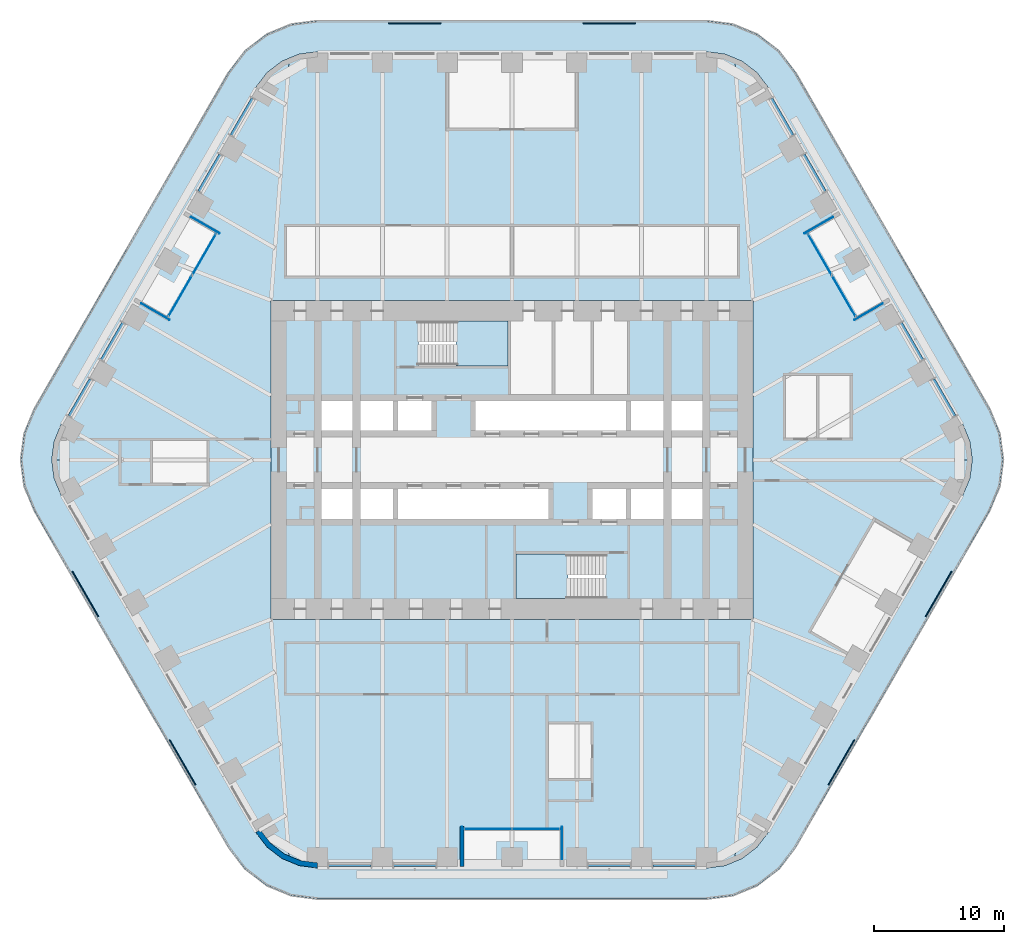
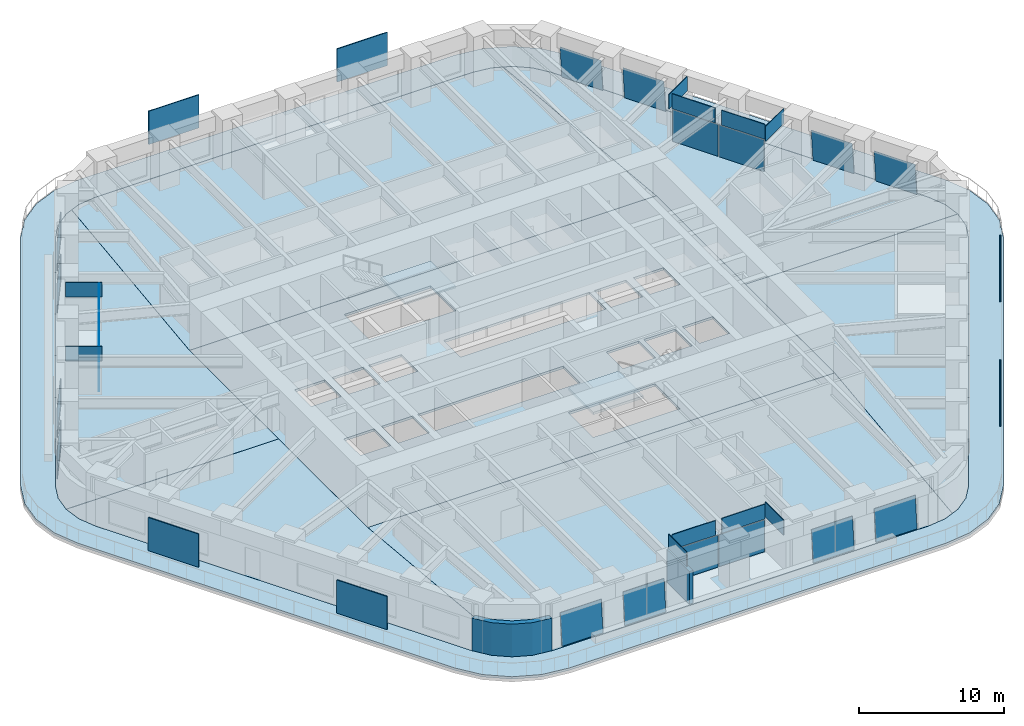
# One storey, part 16 of 24: 36 plates, 10 slabs, 2 walls, 17 elements without a shape of their own.
"""IFC4 building model written with IfcOpenShell, lengths in metres."""

from ifc_helpers import new_model, si_unit, direction, frame, frame_2d, origin, origin_2d, place, context, subcontext, project, spatial, polyline, rectangle, outline, extrude, material, layer, layer_set, type_object, element, aggregate, save


model = new_model("IFC4")

# Units and contexts
model_context = context("Model", 3, precision=1e-05, world=origin(), true_north=direction((0.0, 1.0)))
body_context = subcontext(model_context, "Body", "Model", "MODEL_VIEW")
ifc_project = project(units=[si_unit("LENGTHUNIT", "METRE"), si_unit("AREAUNIT", "SQUARE_METRE"), si_unit("VOLUMEUNIT", "CUBIC_METRE"), si_unit("PLANEANGLEUNIT", "RADIAN"), si_unit("MASSUNIT", "GRAM", prefix="KILO")], contexts=[model_context])

# Site, building, storey
site_placement = place(None, origin())
site = spatial("IfcSite", under=ifc_project, at=site_placement, CompositionType="ELEMENT")
building_placement = place(site_placement, origin())
building = spatial("IfcBuilding", under=site, at=building_placement, Name="Tarfa Lantern Tower", CompositionType="ELEMENT")
storey_placement = place(building_placement, frame((0.0, 0.0, 148.89990234375)))
storey = spatial("IfcBuildingStorey", under=building, at=storey_placement, Name="L33", CompositionType="ELEMENT", Elevation=148.89990234375)

# Slab
ifc_material_1 = material(Name="Concrete C40/50", Category="concrete")
ifc_layer_1 = layer(ifc_material_1, 0.199951171875)
ifc_layer_set_1 = layer_set([ifc_layer_1], Name="BS2 BALCONY SLAB 200")
slab_type_1 = type_object("IfcSlabType", Name="BS2 BALCONY SLAB 200", PredefinedType="FLOOR", material=ifc_layer_set_1)
slab_1_placement = place(storey_placement, frame((0.0, 0.0, -0.199951171875)))
element("IfcSlab", 1, at=slab_1_placement, inside=storey, type_object=slab_type_1, Name="Balcony L33", PredefinedType="FLOOR", context=body_context, shape_type="SweptSolid", body=[
    extrude(outline(polyline([(36.86376953125, 3.949951171875), (21.852783203125, 29.949951171875), (20.59716796875, 31.586181640625), (18.961181640625, 32.841552734375), (17.0556640625, 33.630859375), (15.010986328125, 33.89990234375), (-15.010986328125, 33.89990234375), (-17.0556640625, 33.630859375), (-18.961181640625, 32.841552734375), (-20.59716796875, 31.586181640625), (-21.852783203125, 29.949951171875), (-36.86376953125, 3.949951171875), (-37.653076171875, 2.044677734375), (-37.922119140625, 0.0), (-37.653076171875, -2.044677734375), (-36.86376953125, -3.949951171875), (-21.852783203125, -29.949951171875), (-20.59716796875, -31.586181640625), (-18.961181640625, -32.841552734375), (-17.0556640625, -33.630859375), (-15.010986328125, -33.89990234375), (15.010986328125, -33.89990234375), (17.0556640625, -33.630859375), (18.961181640625, -32.841552734375), (20.59716796875, -31.586181640625), (21.852783203125, -29.949951171875), (36.86376953125, -3.949951171875), (37.653076171875, -2.044677734375), (37.922119140625, 0.0), (37.653076171875, 2.044677734375), (36.86376953125, 3.949951171875)]), holes=[polyline([(34.785400390625, 2.75), (19.774169921875, 28.75), (18.900146484375, 29.88916015625), (17.760986328125, 30.76318359375), (16.4345703125, 31.3125), (15.010986328125, 31.5), (-15.010986328125, 31.5), (-16.4345703125, 31.3125), (-17.760986328125, 30.76318359375), (-18.900146484375, 29.88916015625), (-19.774169921875, 28.75), (-34.785400390625, 2.75), (-35.334716796875, 1.423583984375), (-35.522216796875, 0.0), (-35.334716796875, -1.423583984375), (-34.785400390625, -2.75), (-19.774169921875, -28.75), (-18.900146484375, -29.88916015625), (-17.760986328125, -30.76318359375), (-16.4345703125, -31.3125), (-15.010986328125, -31.5), (15.010986328125, -31.5), (16.4345703125, -31.3125), (17.760986328125, -30.76318359375), (18.900146484375, -29.88916015625), (19.774169921875, -28.75), (34.785400390625, -2.75), (35.334716796875, -1.423583984375), (35.522216796875, 0.0), (35.334716796875, 1.423583984375), (34.785400390625, 2.75)])]), origin(), (0.0, 0.0, 1.0), 0.199951171875),
])

# Curtain wall, plate
ifc_material_2 = material(Name="Aluminium framed curtain wall", Category="aluminium")
curtain_wall_type_1 = type_object("IfcCurtainWallType", Name="CW2 CANTED GLAZING MID ZONE 2750", PredefinedType="USERDEFINED", material=ifc_material_2)
curtain_wall_1_placement = place(storey_placement, origin())
curtain_wall_1 = element("IfcCurtainWall", 2, at=curtain_wall_1_placement, inside=storey, type_object=curtain_wall_type_1, Name="CW2 NE L33", ObjectType="CURTAIN WALL", PredefinedType="USERDEFINED")
ifc_material_3 = material(Name="Laminated double glazing", Category="glass")
ifc_layer_2 = layer(ifc_material_3, 0.028076171875)
ifc_layer_set_2 = layer_set([ifc_layer_2], Name="CWP1 DOUBLE GLAZED PANEL")
plate_type_1 = type_object("IfcPlateType", Name="CWP1 DOUBLE GLAZED PANEL", PredefinedType="CURTAIN_PANEL", material=ifc_layer_set_2)
plate_1_placement = place(storey_placement, frame((34.266357421875, 3.44921875, 0.0), z_axis=(0.862441677575, 0.497990996223, 0.09055009919), x_axis=(-0.500045231271, 0.865999287923, 0.0)))
plate_1 = element("IfcPlate", 3, at=plate_1_placement, type_object=plate_type_1, Name="CW2 panel 1.1", PredefinedType="CURTAIN_PANEL", context=body_context, shape_type="SweptSolid", body=[
    extrude(outline(polyline([(0.0, 0.0), (3.2736296403891254, -2.7755575615628914e-17), (3.273639290369484, 2.696134580088432), (9.64998035858606e-06, 2.696134580088432), (0.0, 0.0)])), origin(), (0.0, 0.0, -1.0), 0.028076171875),
])
aggregate(curtain_wall_1, [plate_1])

curtain_wall_2_placement = place(storey_placement, origin())
curtain_wall_2 = element("IfcCurtainWall", 4, at=curtain_wall_2_placement, inside=storey, type_object=curtain_wall_type_1, Name="CW2 NE L33", ObjectType="CURTAIN WALL", PredefinedType="USERDEFINED")
plate_2_placement = place(storey_placement, frame((31.764404296875, 7.782470703125, 0.0), z_axis=(0.862479387985, 0.497932752669, 0.090511209914), x_axis=(-0.499985201727, 0.866033947398, 2.910741e-06)))
plate_2 = element("IfcPlate", 5, at=plate_2_placement, type_object=plate_type_1, Name="CW2 panel 1.1", PredefinedType="CURTAIN_PANEL", context=body_context, shape_type="SweptSolid", body=[
    extrude(outline(polyline([(0.0, 0.0), (3.2738410665798376, 0.0), (3.273719542684435, 2.696115441250439), (5.428042382078573e-07, 2.696134578050012), (0.0, 0.0)])), origin(), (0.0, 0.0, -1.0), 0.028076171875),
])
aggregate(curtain_wall_2, [plate_2])

curtain_wall_3_placement = place(storey_placement, origin())
curtain_wall_3 = element("IfcCurtainWall", 6, at=curtain_wall_3_placement, inside=storey, type_object=curtain_wall_type_1, Name="CW2 NEB L33", ObjectType="CURTAIN WALL", PredefinedType="USERDEFINED")
plate_3_placement = place(storey_placement, frame((24.2587890625, 20.782470703125, 0.0), z_axis=(0.862492405459, 0.49790313323, 0.090550099086), x_axis=(-0.499957005835, 0.866050225054, 0.0)))
plate_3 = element("IfcPlate", 7, at=plate_3_placement, type_object=plate_type_1, Name="CW2 panel 1.1", PredefinedType="CURTAIN_PANEL", context=body_context, shape_type="SweptSolid", body=[
    extrude(outline(polyline([(0.0, 0.0), (3.273719001629088, 0.0), (3.2737037805661293, 2.6961345800627363), (-1.5221062958495346e-05, 2.6961345800627363), (0.0, 0.0)])), origin(), (0.0, 0.0, -1.0), 0.028076171875),
])
aggregate(curtain_wall_3, [plate_3])

curtain_wall_4_placement = place(storey_placement, origin())
curtain_wall_4 = element("IfcCurtainWall", 8, at=curtain_wall_4_placement, inside=storey, type_object=curtain_wall_type_1, Name="CW2 NEB L33", ObjectType="CURTAIN WALL", PredefinedType="USERDEFINED")
plate_4_placement = place(storey_placement, frame((21.757080078125, 25.11572265625, 0.0), z_axis=(0.862460247027, 0.49795883547, 0.09055009926), x_axis=(-0.500012937857, 0.86601793398, 0.0)))
plate_4 = element("IfcPlate", 9, at=plate_4_placement, type_object=plate_type_1, Name="CW2 panel 1.1", PredefinedType="CURTAIN_PANEL", context=body_context, shape_type="SweptSolid", body=[
    extrude(outline(polyline([(0.0, 0.0), (3.2738410682727324, -2.7755575615628914e-17), (3.27384161446276, 2.6961345801056464), (5.461900275667914e-07, 2.6961345801056464), (0.0, 0.0)])), origin(), (0.0, 0.0, -1.0), 0.028076171875),
])
aggregate(curtain_wall_4, [plate_4])

# Curtain wall, plates
curtain_wall_type_2 = type_object("IfcCurtainWallType", Name="CW10 LOGGIA GLAZING 2750", PredefinedType="USERDEFINED", material=ifc_material_2)
curtain_wall_5_placement = place(storey_placement, origin())
curtain_wall_5 = element("IfcCurtainWall", 10, at=curtain_wall_5_placement, inside=storey, type_object=curtain_wall_type_2, Name="CW10 NEL L33", ObjectType="CURTAIN WALL", PredefinedType="USERDEFINED")
plate_5_placement = place(storey_placement, frame((25.599609375, 12.660400390625, 0.0), z_axis=(0.0, 0.0, 1.0), x_axis=(-0.5, 0.866025403784, 0.0)))
plate_5 = element("IfcPlate", 11, at=plate_5_placement, type_object=plate_type_1, Name="CW10 panel 1.1", PredefinedType="CURTAIN_PANEL", context=body_context, shape_type="SweptSolid", body=[
    extrude(rectangle(XDim=3.606201171875, YDim=0.028076171875, at=origin_2d()), origin(), (0.0, 0.0, 1.0), 2.68505859375),
])
plate_6_placement = place(storey_placement, frame((23.763916015625, 15.839599609375, 0.0), z_axis=(0.0, 0.0, 1.0), x_axis=(-0.5, 0.866025403784, 0.0)))
plate_6 = element("IfcPlate", 12, at=plate_6_placement, type_object=plate_type_1, Name="CW10 panel 2.1", PredefinedType="CURTAIN_PANEL", context=body_context, shape_type="SweptSolid", body=[
    extrude(rectangle(XDim=3.606201171875, YDim=0.028076171875, at=origin_2d()), origin(), (0.0, 0.0, 1.0), 2.68505859375),
])
aggregate(curtain_wall_5, [plate_5, plate_6])

# Curtain wall, plate
curtain_wall_6_placement = place(storey_placement, origin())
curtain_wall_6 = element("IfcCurtainWall", 13, at=curtain_wall_6_placement, inside=storey, type_object=curtain_wall_type_1, Name="CW2 NW L33", ObjectType="CURTAIN WALL", PredefinedType="USERDEFINED")
plate_7_placement = place(storey_placement, frame((-20.1201171875, 27.950927734375, 0.0), z_axis=(-0.862460247027, 0.49795883547, 0.09055009926), x_axis=(-0.500012937857, -0.86601793398, 0.0)))
plate_7 = element("IfcPlate", 14, at=plate_7_placement, type_object=plate_type_1, Name="CW2 panel 1.1", PredefinedType="CURTAIN_PANEL", context=body_context, shape_type="SweptSolid", body=[
    extrude(outline(polyline([(0.0, 0.0), (3.2738410682727324, 2.7755575615628914e-17), (3.273840522082705, 2.6961345801056464), (-5.461900275667914e-07, 2.6961345801056464), (0.0, 0.0)])), origin(), (0.0, 0.0, -1.0), 0.028076171875),
])
aggregate(curtain_wall_6, [plate_7])

curtain_wall_7_placement = place(storey_placement, origin())
curtain_wall_7 = element("IfcCurtainWall", 15, at=curtain_wall_7_placement, inside=storey, type_object=curtain_wall_type_1, Name="CW2 NW L33", ObjectType="CURTAIN WALL", PredefinedType="USERDEFINED")
plate_8_placement = place(storey_placement, frame((-22.6220703125, 23.61767578125, 0.0), z_axis=(-0.862492405459, 0.49790313323, 0.090550099086), x_axis=(-0.499957005835, -0.866050225054, 0.0)))
plate_8 = element("IfcPlate", 16, at=plate_8_placement, type_object=plate_type_1, Name="CW2 panel 1.1", PredefinedType="CURTAIN_PANEL", context=body_context, shape_type="SweptSolid", body=[
    extrude(outline(polyline([(0.0, 0.0), (3.273719001629088, 0.0), (3.2737342226920463, 2.6961345800627363), (1.5221062958495346e-05, 2.6961345800627363), (0.0, 0.0)])), origin(), (0.0, 0.0, -1.0), 0.028076171875),
])
aggregate(curtain_wall_7, [plate_8])

curtain_wall_8_placement = place(storey_placement, origin())
curtain_wall_8 = element("IfcCurtainWall", 17, at=curtain_wall_8_placement, inside=storey, type_object=curtain_wall_type_1, Name="CW2 NWB L33", ObjectType="CURTAIN WALL", PredefinedType="USERDEFINED")
plate_9_placement = place(storey_placement, frame((-30.12744140625, 10.61767578125, 0.0), z_axis=(-0.862479387985, 0.497932752669, 0.090511209914), x_axis=(-0.499985201727, -0.866033947398, -2.910741e-06)))
plate_9 = element("IfcPlate", 18, at=plate_9_placement, type_object=plate_type_1, Name="CW2 panel 1.1", PredefinedType="CURTAIN_PANEL", context=body_context, shape_type="SweptSolid", body=[
    extrude(outline(polyline([(0.0, 0.0), (3.2738410665798376, 0.0), (3.2738405237755996, 2.696134578050012), (0.00012152389540222507, 2.6961154412504387), (0.0, 0.0)])), origin(), (0.0, 0.0, -1.0), 0.028076171875),
])
aggregate(curtain_wall_8, [plate_9])

curtain_wall_9_placement = place(storey_placement, origin())
curtain_wall_9 = element("IfcCurtainWall", 19, at=curtain_wall_9_placement, inside=storey, type_object=curtain_wall_type_1, Name="CW2 NWB L33", ObjectType="CURTAIN WALL", PredefinedType="USERDEFINED")
plate_10_placement = place(storey_placement, frame((-32.62939453125, 6.2841796875, 0.0), z_axis=(-0.862441677575, 0.497990996223, 0.09055009919), x_axis=(-0.500045231271, -0.865999287923, 0.0)))
plate_10 = element("IfcPlate", 20, at=plate_10_placement, type_object=plate_type_1, Name="CW2 panel 1.1", PredefinedType="CURTAIN_PANEL", context=body_context, shape_type="SweptSolid", body=[
    extrude(outline(polyline([(0.0, 0.0), (3.2736296403891254, 2.7755575615628914e-17), (3.273619990408767, 2.696134580088432), (-9.64998035858606e-06, 2.696134580088432), (0.0, 0.0)])), origin(), (0.0, 0.0, -1.0), 0.028076171875),
])
aggregate(curtain_wall_9, [plate_10])

# Curtain wall, plates
curtain_wall_10_placement = place(storey_placement, origin())
curtain_wall_10 = element("IfcCurtainWall", 21, at=curtain_wall_10_placement, inside=storey, type_object=curtain_wall_type_2, Name="CW10 NWL L33", ObjectType="CURTAIN WALL", PredefinedType="USERDEFINED")
plate_11_placement = place(storey_placement, frame((-23.763916015625, 15.839599609375, 0.0), z_axis=(0.0, 0.0, 1.0), x_axis=(-0.5, -0.866025403784, 0.0)))
plate_11 = element("IfcPlate", 22, at=plate_11_placement, type_object=plate_type_1, Name="CW10 panel 1.1", PredefinedType="CURTAIN_PANEL", context=body_context, shape_type="SweptSolid", body=[
    extrude(rectangle(XDim=3.606201171875, YDim=0.028076171875, at=origin_2d()), origin(), (0.0, 0.0, 1.0), 2.68505859375),
])
plate_12_placement = place(storey_placement, frame((-25.599609375, 12.660400390625, 0.0), z_axis=(0.0, 0.0, 1.0), x_axis=(-0.5, -0.866025403784, 0.0)))
plate_12 = element("IfcPlate", 23, at=plate_12_placement, type_object=plate_type_1, Name="CW10 panel 2.1", PredefinedType="CURTAIN_PANEL", context=body_context, shape_type="SweptSolid", body=[
    extrude(rectangle(XDim=3.606201171875, YDim=0.028076171875, at=origin_2d()), origin(), (0.0, 0.0, 1.0), 2.68505859375),
])
aggregate(curtain_wall_10, [plate_11, plate_12])

# Curtain wall, plate
curtain_wall_11_placement = place(storey_placement, origin())
curtain_wall_11 = element("IfcCurtainWall", 24, at=curtain_wall_11_placement, inside=storey, type_object=curtain_wall_type_1, Name="CW2 S L33", ObjectType="CURTAIN WALL", PredefinedType="USERDEFINED")
plate_13_placement = place(storey_placement, frame((-14.14599609375, -31.39990234375, 0.0), z_axis=(0.0, -0.995899883883, 0.090462264412), x_axis=(1.0, 0.0, 0.0)))
plate_13 = element("IfcPlate", 25, at=plate_13_placement, type_object=plate_type_1, Name="CW2 panel 1.1", PredefinedType="CURTAIN_PANEL", context=body_context, shape_type="SweptSolid", body=[
    extrude(outline(polyline([(0.0, 0.0), (3.273681640625, 0.0), (3.273681640625, 2.6961129699923947), (0.0, 2.6961129699923947), (0.0, 0.0)])), origin(), (0.0, 0.0, -1.0), 0.028076171875),
])
aggregate(curtain_wall_11, [plate_13])

curtain_wall_12_placement = place(storey_placement, origin())
curtain_wall_12 = element("IfcCurtainWall", 26, at=curtain_wall_12_placement, inside=storey, type_object=curtain_wall_type_1, Name="CW2 S L33", ObjectType="CURTAIN WALL", PredefinedType="USERDEFINED")
plate_14_placement = place(storey_placement, frame((-9.142333984375, -31.39990234375, 0.0), z_axis=(0.0, -0.995899883883, 0.090462264412), x_axis=(1.0, 0.0, 0.0)))
plate_14 = element("IfcPlate", 27, at=plate_14_placement, type_object=plate_type_1, Name="CW2 panel 1.1", PredefinedType="CURTAIN_PANEL", context=body_context, shape_type="SweptSolid", body=[
    extrude(outline(polyline([(0.0, 0.0), (3.273681640625, 0.0), (3.273681640625, 2.6961129699923947), (0.0, 2.6961129699923947), (0.0, 0.0)])), origin(), (0.0, 0.0, -1.0), 0.028076171875),
])
aggregate(curtain_wall_12, [plate_14])

curtain_wall_13_placement = place(storey_placement, origin())
curtain_wall_13 = element("IfcCurtainWall", 28, at=curtain_wall_13_placement, inside=storey, type_object=curtain_wall_type_1, Name="CW2 SB L33", ObjectType="CURTAIN WALL", PredefinedType="USERDEFINED")
plate_15_placement = place(storey_placement, frame((5.86865234375, -31.39990234375, 0.0), z_axis=(0.0, -0.995899883883, 0.090462264412), x_axis=(1.0, 0.0, 0.0)))
plate_15 = element("IfcPlate", 29, at=plate_15_placement, type_object=plate_type_1, Name="CW2 panel 1.1", PredefinedType="CURTAIN_PANEL", context=body_context, shape_type="SweptSolid", body=[
    extrude(outline(polyline([(0.0, 0.0), (3.273681640625, 0.0), (3.273681640625, 2.6961129699923947), (0.0, 2.6961129699923947), (0.0, 0.0)])), origin(), (0.0, 0.0, -1.0), 0.028076171875),
])
aggregate(curtain_wall_13, [plate_15])

curtain_wall_14_placement = place(storey_placement, origin())
curtain_wall_14 = element("IfcCurtainWall", 30, at=curtain_wall_14_placement, inside=storey, type_object=curtain_wall_type_1, Name="CW2 SB L33", ObjectType="CURTAIN WALL", PredefinedType="USERDEFINED")
plate_16_placement = place(storey_placement, frame((10.872314453125, -31.39990234375, 0.0), z_axis=(0.0, -0.995899883883, 0.090462264412), x_axis=(1.0, 0.0, 0.0)))
plate_16 = element("IfcPlate", 31, at=plate_16_placement, type_object=plate_type_1, Name="CW2 panel 1.1", PredefinedType="CURTAIN_PANEL", context=body_context, shape_type="SweptSolid", body=[
    extrude(outline(polyline([(0.0, 0.0), (3.273681640625, 0.0), (3.273681640625, 2.6961129699923947), (0.0, 2.6961129699923947), (0.0, 0.0)])), origin(), (0.0, 0.0, -1.0), 0.028076171875),
])
aggregate(curtain_wall_14, [plate_16])

# Curtain wall, plates
curtain_wall_15_placement = place(storey_placement, origin())
curtain_wall_15 = element("IfcCurtainWall", 32, at=curtain_wall_15_placement, inside=storey, type_object=curtain_wall_type_2, Name="CW10 SL L33", ObjectType="CURTAIN WALL", PredefinedType="USERDEFINED")
plate_17_placement = place(storey_placement, frame((-1.835693359375, -28.5, 0.0), z_axis=(0.0, 0.0, 1.0), x_axis=(1.0, 0.0, 0.0)))
plate_17 = element("IfcPlate", 33, at=plate_17_placement, type_object=plate_type_1, Name="CW10 panel 1.1", PredefinedType="CURTAIN_PANEL", context=body_context, shape_type="SweptSolid", body=[
    extrude(rectangle(XDim=3.606201171875, YDim=0.028076171875, at=origin_2d()), origin(), (0.0, 0.0, 1.0), 2.68505859375),
])
plate_18_placement = place(storey_placement, frame((1.835693359375, -28.5, 0.0), z_axis=(0.0, 0.0, 1.0), x_axis=(1.0, 0.0, 0.0)))
plate_18 = element("IfcPlate", 34, at=plate_18_placement, type_object=plate_type_1, Name="CW10 panel 2.1", PredefinedType="CURTAIN_PANEL", context=body_context, shape_type="SweptSolid", body=[
    extrude(rectangle(XDim=3.606201171875, YDim=0.028076171875, at=origin_2d()), origin(), (0.0, 0.0, 1.0), 2.68505859375),
])
aggregate(curtain_wall_15, [plate_17, plate_18])

# Slabs
ifc_layer_3 = layer(ifc_material_1, 0.199951171875)
ifc_layer_set_3 = layer_set([ifc_layer_3], Name="FS1 FLOOR SLAB 200")
slab_type_2 = type_object("IfcSlabType", Name="FS1 FLOOR SLAB 200", PredefinedType="FLOOR", material=ifc_layer_set_3)
slab_2_placement = place(storey_placement, frame((0.0, 0.0, -0.199951171875)))
element("IfcSlab", 35, at=slab_2_placement, inside=storey, type_object=slab_type_2, Name="Floor slab L33", PredefinedType="FLOOR", context=body_context, shape_type="SweptSolid", body=[
    extrude(outline(polyline([(-18.60009765625, -12.300048828125), (18.60009765625, -12.300048828125), (18.60009765625, 12.300048828125), (-18.60009765625, 12.300048828125), (-18.60009765625, -12.300048828125)]), holes=[polyline([(-14.699951171875, 2.25), (-12.300048828125, 2.25), (-12.300048828125, 4.550048828125), (-14.699951171875, 4.550048828125), (-14.699951171875, 2.25)]), polyline([(-11.699951171875, 2.25), (-9.199951171875, 2.25), (-9.199951171875, 4.550048828125), (-11.699951171875, 4.550048828125), (-11.699951171875, 2.25)]), polyline([(-8.800048828125, 2.25), (-6.199951171875, 2.25), (-6.199951171875, 4.550048828125), (-8.800048828125, 4.550048828125), (-8.800048828125, 2.25)]), polyline([(-2.800048828125, 2.25), (8.800048828125, 2.25), (8.800048828125, 4.550048828125), (-2.800048828125, 4.550048828125), (-2.800048828125, 2.25)]), polyline([(9.199951171875, 2.25), (11.699951171875, 2.25), (11.699951171875, 4.550048828125), (9.199951171875, 4.550048828125), (9.199951171875, 2.25)]), polyline([(12.300048828125, 2.25), (14.699951171875, 2.25), (14.699951171875, 4.550048828125), (12.300048828125, 4.550048828125), (12.300048828125, 2.25)]), polyline([(14.699951171875, -2.25), (12.300048828125, -2.25), (12.300048828125, -4.550048828125), (14.699951171875, -4.550048828125), (14.699951171875, -2.25)]), polyline([(11.699951171875, -2.25), (9.199951171875, -2.25), (9.199951171875, -4.550048828125), (11.699951171875, -4.550048828125), (11.699951171875, -2.25)]), polyline([(8.800048828125, -2.25), (6.199951171875, -2.25), (6.199951171875, -4.550048828125), (8.800048828125, -4.550048828125), (8.800048828125, -2.25)]), polyline([(2.800048828125, -2.25), (-8.800048828125, -2.25), (-8.800048828125, -4.550048828125), (2.800048828125, -4.550048828125), (2.800048828125, -2.25)]), polyline([(-9.199951171875, -2.25), (-11.699951171875, -2.25), (-11.699951171875, -4.550048828125), (-9.199951171875, -4.550048828125), (-9.199951171875, -2.25)]), polyline([(-12.300048828125, -2.25), (-14.699951171875, -2.25), (-14.699951171875, -4.550048828125), (-12.300048828125, -4.550048828125), (-12.300048828125, -2.25)]), polyline([(-7.199951171875, 7.25), (-0.300048828125, 7.25), (-0.300048828125, 10.699951171875), (-7.199951171875, 10.699951171875), (-7.199951171875, 7.25)]), polyline([(7.199951171875, -7.25), (0.300048828125, -7.25), (0.300048828125, -10.699951171875), (7.199951171875, -10.699951171875), (7.199951171875, -7.25)])]), origin(), (0.0, 0.0, 1.0), 0.199951171875),
])
slab_3_placement = place(storey_placement, frame((0.0, 0.0, -0.199951171875)))
element("IfcSlab", 36, at=slab_3_placement, inside=storey, type_object=slab_type_2, Name="Floor slab L33 NE bay", PredefinedType="FLOOR", context=body_context, shape_type="SweptSolid", body=[
    extrude(outline(polyline([(34.783447265625, 2.7490234375), (19.7724609375, 28.748779296875), (18.898681640625, 29.8876953125), (17.760009765625, 30.761474609375), (17.19189453125, 30.996826171875), (18.60205078125, 12.300048828125), (18.60205078125, 0.001953125), (35.52001953125, 0.001953125), (35.332763671875, 1.423095703125), (34.783447265625, 2.7490234375)])), origin(), (0.0, 0.0, 1.0), 0.199951171875),
])
slab_4_placement = place(storey_placement, frame((0.0, 0.0, -0.199951171875)))
element("IfcSlab", 37, at=slab_4_placement, inside=storey, type_object=slab_type_2, Name="Floor slab L33 N bay", PredefinedType="FLOOR", context=body_context, shape_type="SweptSolid", body=[
    extrude(outline(polyline([(-18.597900390625, 12.302001953125), (18.597900390625, 12.302001953125), (17.187744140625, 30.99853515625), (16.43408203125, 31.310546875), (15.010986328125, 31.498046875), (-15.010986328125, 31.498046875), (-16.43408203125, 31.310546875), (-17.187744140625, 30.99853515625), (-18.597900390625, 12.302001953125)])), origin(), (0.0, 0.0, 1.0), 0.199951171875),
])
slab_5_placement = place(storey_placement, frame((0.0, 0.0, -0.199951171875)))
element("IfcSlab", 38, at=slab_5_placement, inside=storey, type_object=slab_type_2, Name="Floor slab L33 NW bay", PredefinedType="FLOOR", context=body_context, shape_type="SweptSolid", body=[
    extrude(outline(polyline([(-18.60205078125, 0.001953125), (-18.60205078125, 12.300048828125), (-17.19189453125, 30.996826171875), (-17.760009765625, 30.761474609375), (-18.898681640625, 29.8876953125), (-19.7724609375, 28.748779296875), (-34.783447265625, 2.7490234375), (-35.332763671875, 1.423095703125), (-35.52001953125, 0.001953125), (-18.60205078125, 0.001953125)])), origin(), (0.0, 0.0, 1.0), 0.199951171875),
])
slab_6_placement = place(storey_placement, frame((0.0, 0.0, -0.199951171875)))
element("IfcSlab", 39, at=slab_6_placement, inside=storey, type_object=slab_type_2, Name="Floor slab L33 SW bay", PredefinedType="FLOOR", context=body_context, shape_type="SweptSolid", body=[
    extrude(outline(polyline([(-18.60205078125, -12.300048828125), (-18.60205078125, -0.001953125), (-35.52001953125, -0.001953125), (-35.332763671875, -1.423095703125), (-34.783447265625, -2.7490234375), (-19.7724609375, -28.748779296875), (-18.898681640625, -29.8876953125), (-17.760009765625, -30.761474609375), (-17.19189453125, -30.996826171875), (-18.60205078125, -12.300048828125)])), origin(), (0.0, 0.0, 1.0), 0.199951171875),
])
slab_7_placement = place(storey_placement, frame((0.0, 0.0, -0.199951171875)))
element("IfcSlab", 40, at=slab_7_placement, inside=storey, type_object=slab_type_2, Name="Floor slab L33 S bay", PredefinedType="FLOOR", context=body_context, shape_type="SweptSolid", body=[
    extrude(outline(polyline([(18.597900390625, -12.302001953125), (-18.597900390625, -12.302001953125), (-17.187744140625, -30.99853515625), (-16.43408203125, -31.310546875), (-15.010986328125, -31.498046875), (15.010986328125, -31.498046875), (16.43408203125, -31.310546875), (17.187744140625, -30.99853515625), (18.597900390625, -12.302001953125)])), origin(), (0.0, 0.0, 1.0), 0.199951171875),
])
slab_8_placement = place(storey_placement, frame((0.0, 0.0, -0.199951171875)))
element("IfcSlab", 41, at=slab_8_placement, inside=storey, type_object=slab_type_2, Name="Floor slab L33 SE bay", PredefinedType="FLOOR", context=body_context, shape_type="SweptSolid", body=[
    extrude(outline(polyline([(18.60205078125, -0.001953125), (18.60205078125, -12.300048828125), (17.19189453125, -30.996826171875), (17.760009765625, -30.761474609375), (18.898681640625, -29.8876953125), (19.7724609375, -28.748779296875), (34.783447265625, -2.7490234375), (35.332763671875, -1.423095703125), (35.52001953125, -0.001953125), (18.60205078125, -0.001953125)])), origin(), (0.0, 0.0, 1.0), 0.199951171875),
])

# Plates
ifc_material_4 = material(Name="Aluminium fascia panel", Category="aluminium")
ifc_layer_4 = layer(ifc_material_4, 0.050048828125)
ifc_layer_set_4 = layer_set([ifc_layer_4], Name="LF1 LOGGIA HEAD FASCIA 50")
plate_type_2 = type_object("IfcPlateType", Name="LF1 LOGGIA HEAD FASCIA 50", PredefinedType="USERDEFINED", material=ifc_layer_set_4)
for number, where, z_axis, x_axis, name in (
    (42, (25.670166015625, 12.5380859375, 2.75), (0.0, 0.0, 1.0), (-0.5, 0.866025403784, 0.0), "Loggia head fascia NE"),
    (43, (23.693359375, 15.9619140625, 2.75), (0.0, 0.0, 1.0), (-0.5, 0.866025403784, 0.0), "Loggia head fascia NE"),
):
    element("IfcPlate", number, at=place(storey_placement, frame(where, z_axis=z_axis, x_axis=x_axis)), inside=storey, type_object=plate_type_2, Name=name, ObjectType="FASCIA", PredefinedType="USERDEFINED", context=body_context, shape_type="SweptSolid", body=[
        extrude(rectangle(XDim=3.45361328125, YDim=0.050048828125, at=origin_2d()), origin(), (0.0, 0.0, 1.0), 1.25),
    ])
for number, where, z_axis, x_axis, name in (
    (44, (27.526611328125, 11.442626953125, 2.75), (0.0, 0.0, 1.0), (-0.866025403784, -0.5, 0.0), "Loggia head fascia NE"),
    (45, (23.6728515625, 18.117431640625, 2.75), (0.0, 0.0, 1.0), (-0.866025403784, -0.5, 0.0), "Loggia head fascia NE"),
):
    element("IfcPlate", number, at=place(storey_placement, frame(where, z_axis=z_axis, x_axis=x_axis)), inside=storey, type_object=plate_type_2, Name=name, ObjectType="FASCIA", PredefinedType="USERDEFINED", context=body_context, shape_type="SweptSolid", body=[
        extrude(rectangle(XDim=2.52001953125, YDim=0.050048828125, at=origin_2d()), origin(), (0.0, 0.0, 1.0), 1.25),
    ])
for number, where, z_axis, x_axis, name in (
    (46, (-23.693359375, 15.9619140625, 2.75), (0.0, 0.0, 1.0), (-0.5, -0.866025403784, 0.0), "Loggia head fascia NW"),
    (47, (-25.670166015625, 12.5380859375, 2.75), (0.0, 0.0, 1.0), (-0.5, -0.866025403784, 0.0), "Loggia head fascia NW"),
):
    element("IfcPlate", number, at=place(storey_placement, frame(where, z_axis=z_axis, x_axis=x_axis)), inside=storey, type_object=plate_type_2, Name=name, ObjectType="FASCIA", PredefinedType="USERDEFINED", context=body_context, shape_type="SweptSolid", body=[
        extrude(rectangle(XDim=3.45361328125, YDim=0.050048828125, at=origin_2d()), origin(), (0.0, 0.0, 1.0), 1.25),
    ])
for number, where, z_axis, x_axis, name in (
    (48, (-23.6728515625, 18.117431640625, 2.75), (0.0, 0.0, 1.0), (0.866025403784, -0.5, 0.0), "Loggia head fascia NW"),
    (49, (-27.526611328125, 11.442626953125, 2.75), (0.0, 0.0, 1.0), (0.866025403784, -0.5, 0.0), "Loggia head fascia NW"),
):
    element("IfcPlate", number, at=place(storey_placement, frame(where, z_axis=z_axis, x_axis=x_axis)), inside=storey, type_object=plate_type_2, Name=name, ObjectType="FASCIA", PredefinedType="USERDEFINED", context=body_context, shape_type="SweptSolid", body=[
        extrude(rectangle(XDim=2.52001953125, YDim=0.050048828125, at=origin_2d()), origin(), (0.0, 0.0, 1.0), 1.25),
    ])
for number, where, z_axis, x_axis, name in (
    (50, (-1.976806640625, -28.5, 2.75), (0.0, 0.0, 1.0), (1.0, 0.0, 0.0), "Loggia head fascia S"),
    (51, (1.976806640625, -28.5, 2.75), (0.0, 0.0, 1.0), (1.0, 0.0, 0.0), "Loggia head fascia S"),
):
    element("IfcPlate", number, at=place(storey_placement, frame(where, z_axis=z_axis, x_axis=x_axis)), inside=storey, type_object=plate_type_2, Name=name, ObjectType="FASCIA", PredefinedType="USERDEFINED", context=body_context, shape_type="SweptSolid", body=[
        extrude(rectangle(XDim=3.45361328125, YDim=0.050048828125, at=origin_2d()), origin(), (0.0, 0.0, 1.0), 1.25),
    ])
for number, where, z_axis, x_axis, name in (
    (52, (-3.853759765625, -29.56005859375, 2.75), (0.0, 0.0, 1.0), (0.0, 1.0, 0.0), "Loggia head fascia S"),
    (53, (3.853759765625, -29.56005859375, 2.75), (0.0, 0.0, 1.0), (0.0, 1.0, 0.0), "Loggia head fascia S"),
):
    element("IfcPlate", number, at=place(storey_placement, frame(where, z_axis=z_axis, x_axis=x_axis)), inside=storey, type_object=plate_type_2, Name=name, ObjectType="FASCIA", PredefinedType="USERDEFINED", context=body_context, shape_type="SweptSolid", body=[
        extrude(rectangle(XDim=2.52001953125, YDim=0.050048828125, at=origin_2d()), origin(), (0.0, 0.0, 1.0), 1.25),
    ])
ifc_material_5 = material(Name="Perforated limestone screen", Category="masonry")
ifc_layer_5 = layer(ifc_material_5, 0.080078125)
ifc_layer_set_5 = layer_set([ifc_layer_5], Name="SC1 STONE SCREEN 80")
plate_type_3 = type_object("IfcPlateType", Name="SC1 STONE SCREEN 80", PredefinedType="USERDEFINED", material=ifc_layer_set_5)
for number, where, z_axis, x_axis, name in (
    (54, (7.505615234375, 33.699951171875, 1.2001953125), (0.0, 0.0, 1.0), (-1.0, 0.0, 0.0), "Stone screen N 1"),
    (55, (-7.505615234375, 33.699951171875, 1.2001953125), (0.0, 0.0, 1.0), (-1.0, 0.0, 0.0), "Stone screen N 2"),
    (56, (-32.937744140625, -10.35009765625, 1.2001953125), (0.0, 0.0, 1.0), (0.5, -0.866025403784, 0.0), "Stone screen SW 1"),
    (57, (-25.432373046875, -23.35009765625, 1.2001953125), (0.0, 0.0, 1.0), (0.5, -0.866025403784, 0.0), "Stone screen SW 2"),
    (58, (25.432373046875, -23.35009765625, 1.2001953125), (0.0, 0.0, 1.0), (0.5, 0.866025403784, 0.0), "Stone screen SE 1"),
    (59, (32.937744140625, -10.35009765625, 1.2001953125), (0.0, 0.0, 1.0), (0.5, 0.866025403784, 0.0), "Stone screen SE 2"),
):
    element("IfcPlate", number, at=place(storey_placement, frame(where, z_axis=z_axis, x_axis=x_axis)), inside=storey, type_object=plate_type_3, Name=name, ObjectType="SCREEN", PredefinedType="USERDEFINED", context=body_context, shape_type="SweptSolid", body=[
        extrude(rectangle(XDim=4.0, YDim=0.080078125, at=origin_2d()), origin(), (0.0, 0.0, 1.0), 2.800048828125),
    ])

# Stair, slab
stair_type = type_object("IfcStairType", Name="ST-T10 HALF-TURN STAIR 4200 RISE", PredefinedType="HALF_TURN_STAIR", material=ifc_material_1)
stair_1_placement = place(storey_placement, origin())
stair_1 = element("IfcStair", 60, at=stair_1_placement, inside=storey, type_object=stair_type, Name="Stair ST1", PredefinedType="HALF_TURN_STAIR")
ifc_layer_6 = layer(ifc_material_1, 0.199951171875)
ifc_layer_set_6 = layer_set([ifc_layer_6], Name="SL1 STAIR LANDING 200")
slab_type_3 = type_object("IfcSlabType", Name="SL1 STAIR LANDING 200", PredefinedType="LANDING", material=ifc_layer_set_6)
slab_9_placement = place(storey_placement, frame((0.0, 0.0, 1.900146484375)))
slab_9 = element("IfcSlab", 61, at=slab_9_placement, type_object=slab_type_3, Name="ST1 landing 1", PredefinedType="LANDING", context=body_context, shape_type="SweptSolid", body=[
    extrude(outline(polyline([(-4.320068359375, 7.25), (-0.300048828125, 7.25), (-0.300048828125, 10.699951171875), (-4.320068359375, 10.699951171875), (-4.320068359375, 7.25)])), origin(), (0.0, 0.0, 1.0), 0.199951171875),
])
aggregate(stair_1, [slab_9])

stair_2_placement = place(storey_placement, origin())
stair_2 = element("IfcStair", 62, at=stair_2_placement, inside=storey, type_object=stair_type, Name="Stair ST2", PredefinedType="HALF_TURN_STAIR")
slab_10_placement = place(storey_placement, frame((0.0, 0.0, 1.900146484375)))
slab_10 = element("IfcSlab", 63, at=slab_10_placement, type_object=slab_type_3, Name="ST2 landing 1", PredefinedType="LANDING", context=body_context, shape_type="SweptSolid", body=[
    extrude(outline(polyline([(4.320068359375, -7.25), (0.300048828125, -7.25), (0.300048828125, -10.699951171875), (4.320068359375, -10.699951171875), (4.320068359375, -7.25)])), origin(), (0.0, 0.0, 1.0), 0.199951171875),
])
aggregate(stair_2, [slab_10])

# Walls
ifc_material_6 = material(Name="Limestone cladding on blockwork", Category="masonry")
ifc_layer_7 = layer(ifc_material_6, 0.300048828125)
ifc_layer_set_7 = layer_set([ifc_layer_7], Name="EW1 STONE-CLAD WALL 300")
wall_type_1 = type_object("IfcWallType", Name="EW1 STONE-CLAD WALL 300", PredefinedType="SOLIDWALL", material=ifc_layer_set_7)
wall_1_placement = place(storey_placement, frame((-3.853759765625, -31.39990234375, 0.0), z_axis=(0.0, 0.0, 1.0), x_axis=(0.0, 1.0, 0.0)))
element("IfcWall", 64, at=wall_1_placement, inside=storey, type_object=wall_type_1, Name="Loggia return S 1", PredefinedType="SOLIDWALL", context=body_context, shape_type="SweptSolid", body=[
    extrude(rectangle(XDim=3.099853515625, YDim=0.300048828125, at=frame_2d((1.5498046875, 0.0))), origin(), (0.0, 0.0, 1.0), 2.75),
])
ifc_layer_8 = layer(ifc_material_6, 0.39990234375)
ifc_layer_set_8 = layer_set([ifc_layer_8], Name="EW2 CURVED STONE CORNER 400")
wall_type_2 = type_object("IfcWallType", Name="EW2 CURVED STONE CORNER 400", PredefinedType="SOLIDWALL", material=ifc_layer_set_8)
wall_2_placement = place(storey_placement, origin())
element("IfcWall", 65, at=wall_2_placement, inside=storey, type_object=wall_type_2, Name="Stone corner SW-S", PredefinedType="SOLIDWALL", context=body_context, shape_type="SweptSolid", body=[
    extrude(outline(polyline([(-19.774169921875, -28.75), (-18.900146484375, -29.88916015625), (-17.760986328125, -30.76318359375), (-16.4345703125, -31.3125), (-15.010986328125, -31.5), (-15.010986328125, -31.10009765625), (-16.3310546875, -30.92626953125), (-17.56103515625, -30.416748046875), (-18.617431640625, -29.606201171875), (-19.427734375, -28.550048828125), (-19.774169921875, -28.75)])), origin(), (0.0, 0.0, 1.0), 2.75),
])

save(model, "model.ifc")
